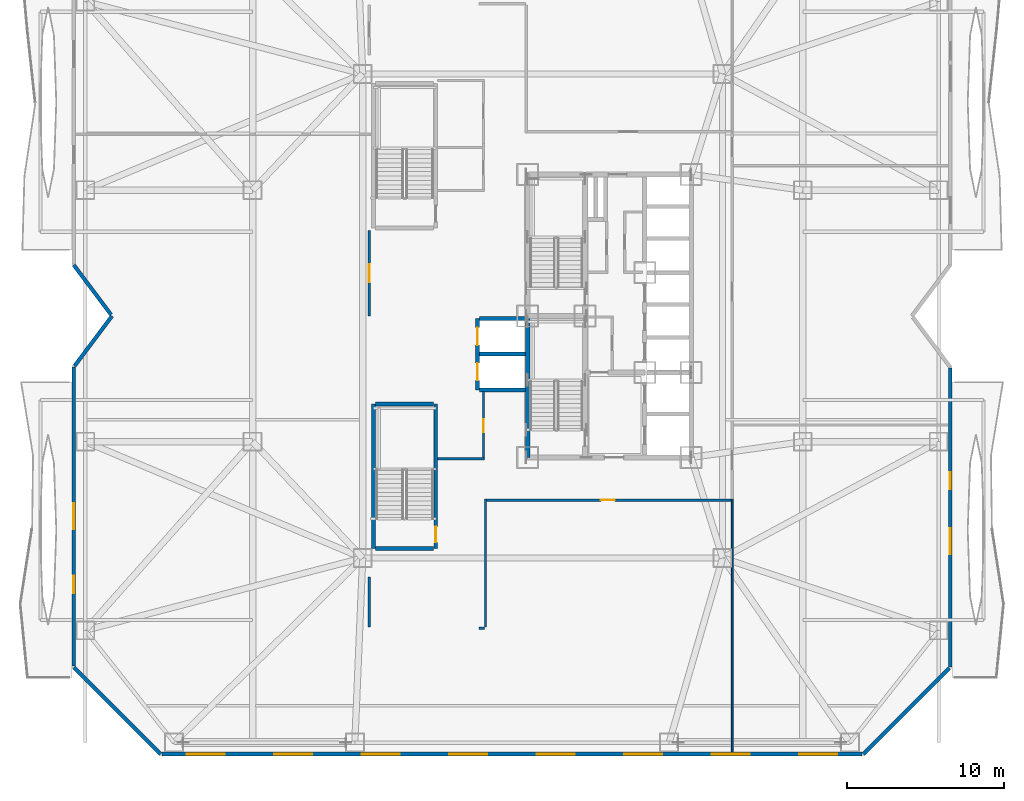
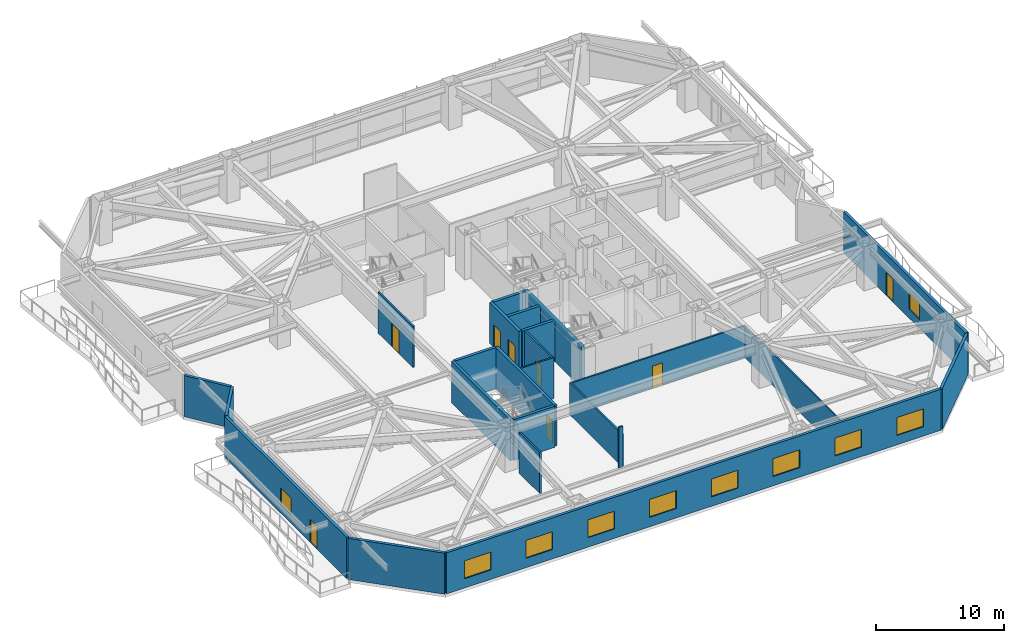
# One storey, part 16 of 25: 24 walls, 10 windows, 8 doors, 18 openings.
"""IFC4 building model written with IfcOpenShell, lengths in metres."""

from ifc_helpers import new_model, si_unit, direction, frame, frame_2d, origin, place, context, subcontext, project, spatial, rectangle, extrude, material, layer, layer_set, type_object, element, fill, save


model = new_model("IFC4")

# Units and contexts
model_context = context("Model", 3, precision=1e-05, world=origin(), true_north=direction((0.0, 1.0)))
body_context = subcontext(model_context, "Body", "Model", "MODEL_VIEW")
ifc_project = project(units=[si_unit("LENGTHUNIT", "METRE"), si_unit("AREAUNIT", "SQUARE_METRE"), si_unit("VOLUMEUNIT", "CUBIC_METRE"), si_unit("PLANEANGLEUNIT", "RADIAN"), si_unit("MASSUNIT", "GRAM", prefix="KILO")], contexts=[model_context])

# Site, building, storey
site_placement = place(None, origin())
site = spatial("IfcSite", under=ifc_project, at=site_placement, CompositionType="ELEMENT")
building_placement = place(site_placement, origin())
building = spatial("IfcBuilding", under=site, at=building_placement, Name="Khamvora Tower", CompositionType="ELEMENT")
storey_placement = place(building_placement, frame((0.0, 0.0, 24.60009765625)))
storey = spatial("IfcBuildingStorey", under=building, at=storey_placement, Name="L05", CompositionType="ELEMENT", Elevation=24.60009765625)

# Walls
ifc_material_1 = material(Name="Concrete C50/60", Category="concrete")
ifc_layer_1 = layer(ifc_material_1, 0.300048828125)
ifc_layer_set_1 = layer_set([ifc_layer_1], Name="Concrete C50/60")
wall_type_1 = type_object("IfcWallType", Name="WAL-CORE-300", PredefinedType="SHEAR", material=ifc_layer_set_1)
wall_1_placement = place(storey_placement, frame((29.0, 19.0, 0.0), z_axis=(0.0, 0.0, 1.0), x_axis=(0.0, 1.0, 0.0)))
element("IfcWall", 1, at=wall_1_placement, inside=storey, type_object=wall_type_1, Name="L05 central core west south wall", PredefinedType="SHEAR", context=body_context, shape_type="SweptSolid", body=[
    extrude(rectangle(XDim=9.0, YDim=0.300048828125, at=frame_2d((4.5, 0.0))), origin(), (0.0, 0.0, 1.0), 3.919921875),
])
ifc_material_2 = material(Name="Fire-Rated Drywall and Steel Stud", Category="steel")
ifc_layer_2 = layer(ifc_material_2, 0.14990234375)
ifc_layer_set_2 = layer_set([ifc_layer_2], Name="Fire-Rated Drywall and Steel Stud")
wall_type_2 = type_object("IfcWallType", Name="WAL-CORR-150", PredefinedType="STANDARD", material=ifc_layer_set_2)
wall_2_placement = place(storey_placement, frame((23.26708984375, 18.9150390625, 0.0), z_axis=(0.0, 0.0, 1.0), x_axis=(1.0, 0.0, 0.0)))
element("IfcWall", 2, at=wall_2_placement, inside=storey, type_object=wall_type_2, Name="L05 interior partition wall 008", PredefinedType="STANDARD", context=body_context, shape_type="SweptSolid", body=[
    extrude(rectangle(XDim=2.98291015625, YDim=0.14990234375, at=frame_2d((1.491455078125, 0.0))), origin(), (0.0, 0.0, 1.0), 3.919921875),
])

# Wall, opening, door
wall_3_placement = place(storey_placement, frame((26.18505859375, 18.85205078125, 0.0), z_axis=(0.0, 0.0, 1.0), x_axis=(0.0, 1.0, 0.0)))
wall_3 = element("IfcWall", 3, at=wall_3_placement, inside=storey, type_object=wall_type_2, Name="L05 interior partition wall 009", PredefinedType="STANDARD", context=body_context, shape_type="SweptSolid", body=[
    extrude(rectangle(XDim=4.3310546875, YDim=0.14990234375, at=frame_2d((2.16552734375, 0.0))), origin(), (0.0, 0.0, 1.0), 3.919921875),
])
opening_1_placement = place(wall_3_placement, frame((1.740966796875, 0.0, 0.0)))
opening_1 = element("IfcOpeningElement", 4, at=opening_1_placement, cuts=wall_3, Name="Opening D-WC1", PredefinedType="OPENING", context=body_context, shape_type="SweptSolid", body=[
    extrude(rectangle(XDim=0.85009765625, YDim=2.10009765625, at=frame_2d((0.425048828125, 1.050048828125))), frame((0.0, 0.0849609375, 0.0), z_axis=(0.0, -1.0, 0.0), x_axis=(1.0, 0.0, 0.0)), (0.0, 0.0, 1.0), 0.169921875),
])
ifc_material_3 = material(Name="Powder-Coated Steel and Hardwood Leaf", Category="steel")
door_type_1 = type_object("IfcDoorType", Name="DOR-WET-850", OperationType="NOTDEFINED", PredefinedType="DOOR", material=ifc_material_3)
door_1_placement = place(opening_1_placement, origin())
door_1 = element("IfcDoor", 5, at=door_1_placement, inside=storey, type_object=door_type_1, Name="L05 interior door SCOR-WCM", OperationType="SINGLE_SWING_LEFT", OverallHeight=2.10009765625, OverallWidth=0.85009765625, PredefinedType="DOOR", context=body_context, shape_type="SweptSolid", body=[
    extrude(rectangle(XDim=0.85009765625, YDim=2.10009765625, at=frame_2d((0.425048828125, 1.050048828125))), frame((0.0, 0.02490234375, 0.0), z_axis=(0.0, -1.0, 0.0), x_axis=(1.0, 0.0, 0.0)), (0.0, 0.0, 1.0), 0.050048828125),
])
fill(opening_1, door_1)

wall_4_placement = place(storey_placement, frame((18.9150390625, 28.0, 0.0), z_axis=(0.0, 0.0, 1.0), x_axis=(0.0, 1.0, 0.0)))
wall_4 = element("IfcWall", 6, at=wall_4_placement, inside=storey, type_object=wall_type_2, Name="L05 interior partition wall 014", PredefinedType="STANDARD", context=body_context, shape_type="SweptSolid", body=[
    extrude(rectangle(XDim=5.449951171875, YDim=0.14990234375, at=frame_2d((2.72509765625, 0.0))), origin(), (0.0, 0.0, 1.0), 3.919921875),
])
opening_2_placement = place(wall_4_placement, frame((2.14990234375, 0.0, 0.0)))
opening_2 = element("IfcOpeningElement", 7, at=opening_2_placement, cuts=wall_4, Name="Opening D-SC1", PredefinedType="OPENING", context=body_context, shape_type="SweptSolid", body=[
    extrude(rectangle(XDim=1.14990234375, YDim=2.199951171875, at=frame_2d((0.574951171875, 1.10009765625))), frame((0.0, 0.0849609375, 0.0), z_axis=(0.0, -1.0, 0.0), x_axis=(1.0, 0.0, 0.0)), (0.0, 0.0, 1.0), 0.169921875),
])
door_type_2 = type_object("IfcDoorType", Name="DOR-SCHL-1150", OperationType="NOTDEFINED", PredefinedType="DOOR", material=ifc_material_3)
door_2_placement = place(opening_2_placement, origin())
door_2 = element("IfcDoor", 8, at=door_2_placement, inside=storey, type_object=door_type_2, Name="L05 interior door SCOR-GYM", OperationType="SINGLE_SWING_RIGHT", OverallHeight=2.199951171875, OverallWidth=1.14990234375, PredefinedType="DOOR", context=body_context, shape_type="SweptSolid", body=[
    extrude(rectangle(XDim=1.14990234375, YDim=2.199951171875, at=frame_2d((0.574951171875, 1.10009765625))), frame((0.0, 0.02490234375, 0.0), z_axis=(0.0, -1.0, 0.0), x_axis=(1.0, 0.0, 0.0)), (0.0, 0.0, 1.0), 0.050048828125),
])
fill(opening_2, door_2)

# Wall
wall_5_placement = place(storey_placement, frame((18.9150390625, 8.199951171875, 0.0), z_axis=(0.0, 0.0, 1.0), x_axis=(0.0, 1.0, 0.0)))
element("IfcWall", 9, at=wall_5_placement, inside=storey, type_object=wall_type_2, Name="L05 interior partition wall 015", PredefinedType="STANDARD", context=body_context, shape_type="SweptSolid", body=[
    extrude(rectangle(XDim=3.199951171875, YDim=0.14990234375, at=frame_2d((1.60009765625, 0.0))), origin(), (0.0, 0.0, 1.0), 3.919921875),
])

# Wall, opening, door
wall_6_placement = place(storey_placement, frame((41.949951171875, 16.284912109375, 0.0), z_axis=(0.0, 0.0, 1.0), x_axis=(-1.0, 0.0, 0.0)))
wall_6 = element("IfcWall", 10, at=wall_6_placement, inside=storey, type_object=wall_type_2, Name="L05 interior partition wall 020", PredefinedType="STANDARD", context=body_context, shape_type="SweptSolid", body=[
    extrude(rectangle(XDim=15.699951171875, YDim=0.14990234375, at=frame_2d((7.85009765625, 0.0))), origin(), (0.0, 0.0, 1.0), 3.054931640625),
])
opening_3_placement = place(wall_6_placement, frame((7.39990234375, 0.0, 0.0)))
opening_3 = element("IfcOpeningElement", 11, at=opening_3_placement, cuts=wall_6, Name="Opening D-RM1", PredefinedType="OPENING", context=body_context, shape_type="SweptSolid", body=[
    extrude(rectangle(XDim=0.89990234375, YDim=2.10009765625, at=frame_2d((0.449951171875, 1.050048828125))), frame((0.0, 0.0849609375, 0.0), z_axis=(0.0, -1.0, 0.0), x_axis=(1.0, 0.0, 0.0)), (0.0, 0.0, 1.0), 0.169921875),
])
door_type_3 = type_object("IfcDoorType", Name="DOR-ROOM-900", OperationType="NOTDEFINED", PredefinedType="DOOR", material=ifc_material_3)
door_3_placement = place(opening_3_placement, origin())
door_3 = element("IfcDoor", 12, at=door_3_placement, inside=storey, type_object=door_type_3, Name="L05 interior door SCOR-EQP", OperationType="SINGLE_SWING_LEFT", OverallHeight=2.10009765625, OverallWidth=0.89990234375, PredefinedType="DOOR", context=body_context, shape_type="SweptSolid", body=[
    extrude(rectangle(XDim=0.89990234375, YDim=2.10009765625, at=frame_2d((0.449951171875, 1.050048828125))), frame((0.0, 0.02490234375, 0.0), z_axis=(0.0, -1.0, 0.0), x_axis=(1.0, 0.0, 0.0)), (0.0, 0.0, 1.0), 0.050048828125),
])
fill(opening_3, door_3)

# Walls
wall_7_placement = place(storey_placement, frame((26.31494140625, 16.35009765625, 0.0), z_axis=(0.0, 0.0, 1.0), x_axis=(0.0, -1.0, 0.0)))
element("IfcWall", 13, at=wall_7_placement, inside=storey, type_object=wall_type_2, Name="L05 interior partition wall 021", PredefinedType="STANDARD", context=body_context, shape_type="SweptSolid", body=[
    extrude(rectangle(XDim=8.150146484375, YDim=0.14990234375, at=frame_2d((4.0751953125, 0.0))), origin(), (0.0, 0.0, 1.0), 3.054931640625),
])
wall_8_placement = place(storey_placement, frame((26.25, 8.135009765625, 0.0), z_axis=(0.0, 0.0, 1.0), x_axis=(-1.0, 0.0, 0.0)))
element("IfcWall", 14, at=wall_8_placement, inside=storey, type_object=wall_type_2, Name="L05 interior partition wall 022", PredefinedType="STANDARD", context=body_context, shape_type="SweptSolid", body=[
    extrude(rectangle(XDim=0.339111328125, YDim=0.14990234375, at=frame_2d((0.16943359375, 0.0))), origin(), (0.0, 0.0, 1.0), 3.919921875),
])
ifc_material_4 = material(Name="Precast concrete C40/50", Category="concrete")
ifc_layer_3 = layer(ifc_material_4, 0.239990234375)
ifc_layer_set_3 = layer_set([ifc_layer_3], Name="Precast concrete C40/50")
wall_type_3 = type_object("IfcWallType", Name="WAL-EXT-240", PredefinedType="STANDARD", material=ifc_layer_set_3)
wall_9_placement = place(storey_placement, frame((5.64990234375, 0.1201171875, 0.0), z_axis=(0.0, 0.0, 1.0), x_axis=(-0.707106781187, 0.707106781187, 0.0)))
element("IfcWall", 15, at=wall_9_placement, inside=storey, type_object=wall_type_3, Name="L05 exterior facade wall 01.1", PredefinedType="STANDARD", context=body_context, shape_type="SweptSolid", body=[
    extrude(rectangle(XDim=7.8203125, YDim=0.239990234375, at=frame_2d((3.91015625, 0.0))), origin(), (0.0, 0.0, 1.0), 3.919921875),
])

# Wall, openings, door, window
wall_10_placement = place(storey_placement, frame((0.1201171875, 5.72802734375, 0.0), z_axis=(0.0, 0.0, 1.0), x_axis=(0.0, 1.0, 0.0)))
wall_10 = element("IfcWall", 16, at=wall_10_placement, inside=storey, type_object=wall_type_3, Name="L05 exterior facade wall 02.1", PredefinedType="STANDARD", context=body_context, shape_type="SweptSolid", body=[
    extrude(rectangle(XDim=19.031982421875, YDim=0.239990234375, at=frame_2d((9.51611328125, 0.0))), origin(), (0.0, 0.0, 1.0), 3.919921875),
])
opening_4_placement = place(wall_10_placement, frame((4.64208984375, 0.0, 0.0)))
opening_4 = element("IfcOpeningElement", 17, at=opening_4_placement, cuts=wall_10, Name="Opening BD-01", PredefinedType="OPENING", context=body_context, shape_type="SweptSolid", body=[
    extrude(rectangle(XDim=1.10009765625, YDim=2.199951171875, at=frame_2d((0.550048828125, 1.10009765625))), frame((0.0, 0.1298828125, 0.0), z_axis=(0.0, -1.0, 0.0), x_axis=(1.0, 0.0, 0.0)), (0.0, 0.0, 1.0), 0.260009765625),
])
opening_5_placement = place(wall_10_placement, frame((8.69091796875, 0.0, 0.85009765625)))
opening_5 = element("IfcOpeningElement", 18, at=opening_5_placement, cuts=wall_10, Name="Opening WN-06", PredefinedType="OPENING", context=body_context, shape_type="SweptSolid", body=[
    extrude(rectangle(XDim=1.64990234375, YDim=1.550048828125, at=frame_2d((0.824951171875, 0.77490234375))), frame((0.0, 0.1298828125, 0.0), z_axis=(0.0, -1.0, 0.0), x_axis=(1.0, 0.0, 0.0)), (0.0, 0.0, 1.0), 0.260009765625),
])
ifc_material_5 = material(Name="Anodised Aluminium and Laminated Safety Glass", Category="aluminium")
door_type_4 = type_object("IfcDoorType", Name="DOR-BAL-1100", OperationType="NOTDEFINED", PredefinedType="DOOR", material=ifc_material_5)
door_4_placement = place(opening_4_placement, origin())
door_4 = element("IfcDoor", 19, at=door_4_placement, inside=storey, type_object=door_type_4, Name="L05 lens gallery balcony door WL1", OperationType="SLIDING_TO_LEFT", OverallHeight=2.199951171875, OverallWidth=1.10009765625, PredefinedType="DOOR", context=body_context, shape_type="SweptSolid", body=[
    extrude(rectangle(XDim=1.10009765625, YDim=2.199951171875, at=frame_2d((0.550048828125, 1.10009765625))), frame((0.0, 0.02490234375, 0.0), z_axis=(0.0, -1.0, 0.0), x_axis=(1.0, 0.0, 0.0)), (0.0, 0.0, 1.0), 0.050048828125),
])
fill(opening_4, door_4)
ifc_material_6 = material(Name="Low-E Laminated Double Glazing", Category="glass")
window_type_1 = type_object("IfcWindowType", Name="WIN-VIS-1650x1550", PartitioningType="SINGLE_PANEL", PredefinedType="WINDOW", material=ifc_material_6)
window_1_placement = place(opening_5_placement, origin())
window_1 = element("IfcWindow", 20, at=window_1_placement, inside=storey, type_object=window_type_1, Name="L05 vision window 02.1.01", OverallHeight=1.550048828125, OverallWidth=1.64990234375, PartitioningType="SINGLE_PANEL", PredefinedType="WINDOW", context=body_context, shape_type="SweptSolid", body=[
    extrude(rectangle(XDim=1.64990234375, YDim=1.550048828125, at=frame_2d((0.824951171875, 0.77490234375))), frame((0.0, 0.030029296875, 0.0), z_axis=(0.0, -1.0, 0.0), x_axis=(1.0, 0.0, 0.0)), (0.0, 0.0, 1.0), 0.06005859375),
])
fill(opening_5, window_1)

# Walls
wall_11_placement = place(storey_placement, frame((0.157958984375, 24.81103515625, 0.0), z_axis=(0.0, 0.0, 1.0), x_axis=(0.600058791648, 0.799955902889, 0.0)))
element("IfcWall", 21, at=wall_11_placement, inside=storey, type_object=wall_type_3, Name="L05 exterior facade wall 03.1", PredefinedType="STANDARD", context=body_context, shape_type="SweptSolid", body=[
    extrude(rectangle(XDim=3.986328125, YDim=0.239990234375, at=frame_2d((1.9931640625, 0.0))), origin(), (0.0, 0.0, 1.0), 3.919921875),
])
wall_12_placement = place(storey_placement, frame((2.487060546875, 28.083984375, 0.0), z_axis=(0.0, 0.0, 1.0), x_axis=(-0.599990098106, 0.800007426325, 0.0)))
element("IfcWall", 22, at=wall_12_placement, inside=storey, type_object=wall_type_3, Name="L05 exterior facade wall 04.1", PredefinedType="STANDARD", context=body_context, shape_type="SweptSolid", body=[
    extrude(rectangle(XDim=3.945068359375, YDim=0.239990234375, at=frame_2d((1.97265625, 0.0))), origin(), (0.0, 0.0, 1.0), 3.919921875),
])

# Wall, openings, door, window
wall_13_placement = place(storey_placement, frame((55.8798828125, 24.697998046875, 0.0), z_axis=(0.0, 0.0, 1.0), x_axis=(0.0, -1.0, 0.0)))
wall_13 = element("IfcWall", 23, at=wall_13_placement, inside=storey, type_object=wall_type_3, Name="L05 exterior facade wall 12.1", PredefinedType="STANDARD", context=body_context, shape_type="SweptSolid", body=[
    extrude(rectangle(XDim=19.048095703125, YDim=0.239990234375, at=frame_2d((9.52392578125, 0.0))), origin(), (0.0, 0.0, 1.0), 3.919921875),
])
opening_6_placement = place(wall_13_placement, frame((6.6279296875, 0.0, 0.0)))
opening_6 = element("IfcOpeningElement", 24, at=opening_6_placement, cuts=wall_13, Name="Opening BD-01", PredefinedType="OPENING", context=body_context, shape_type="SweptSolid", body=[
    extrude(rectangle(XDim=1.10009765625, YDim=2.199951171875, at=frame_2d((0.550048828125, 1.10009765625))), frame((0.0, 0.1298828125, 0.0), z_axis=(0.0, -1.0, 0.0), x_axis=(1.0, 0.0, 0.0)), (0.0, 0.0, 1.0), 0.260009765625),
])
opening_7_placement = place(wall_13_placement, frame((10.197998046875, 0.0, 0.85009765625)))
opening_7 = element("IfcOpeningElement", 25, at=opening_7_placement, cuts=wall_13, Name="Opening WN-06", PredefinedType="OPENING", context=body_context, shape_type="SweptSolid", body=[
    extrude(rectangle(XDim=1.64990234375, YDim=1.550048828125, at=frame_2d((0.824951171875, 0.77490234375))), frame((0.0, 0.1298828125, 0.0), z_axis=(0.0, -1.0, 0.0), x_axis=(1.0, 0.0, 0.0)), (0.0, 0.0, 1.0), 0.260009765625),
])
door_5_placement = place(opening_6_placement, origin())
door_5 = element("IfcDoor", 26, at=door_5_placement, inside=storey, type_object=door_type_4, Name="L05 lens gallery balcony door EL1", OperationType="SLIDING_TO_LEFT", OverallHeight=2.199951171875, OverallWidth=1.10009765625, PredefinedType="DOOR", context=body_context, shape_type="SweptSolid", body=[
    extrude(rectangle(XDim=1.10009765625, YDim=2.199951171875, at=frame_2d((0.550048828125, 1.10009765625))), frame((0.0, 0.02490234375, 0.0), z_axis=(0.0, -1.0, 0.0), x_axis=(1.0, 0.0, 0.0)), (0.0, 0.0, 1.0), 0.050048828125),
])
fill(opening_6, door_5)
window_2_placement = place(opening_7_placement, origin())
window_2 = element("IfcWindow", 27, at=window_2_placement, inside=storey, type_object=window_type_1, Name="L05 vision window 12.1.01", OverallHeight=1.550048828125, OverallWidth=1.64990234375, PartitioningType="SINGLE_PANEL", PredefinedType="WINDOW", context=body_context, shape_type="SweptSolid", body=[
    extrude(rectangle(XDim=1.64990234375, YDim=1.550048828125, at=frame_2d((0.824951171875, 0.77490234375))), frame((0.0, 0.030029296875, 0.0), z_axis=(0.0, -1.0, 0.0), x_axis=(1.0, 0.0, 0.0)), (0.0, 0.0, 1.0), 0.06005859375),
])
fill(opening_7, window_2)

# Wall
wall_14_placement = place(storey_placement, frame((55.825927734375, 5.595947265625, 0.0), z_axis=(0.0, 0.0, 1.0), x_axis=(-0.707106781187, -0.707106781187, 0.0)))
element("IfcWall", 28, at=wall_14_placement, inside=storey, type_object=wall_type_3, Name="L05 exterior facade wall 13.1", PredefinedType="STANDARD", context=body_context, shape_type="SweptSolid", body=[
    extrude(rectangle(XDim=7.743896484375, YDim=0.239990234375, at=frame_2d((3.8720703125, 0.0))), origin(), (0.0, 0.0, 1.0), 3.919921875),
])

# Wall, openings, windows
wall_15_placement = place(storey_placement, frame((50.27490234375, 0.1201171875, 0.0), z_axis=(0.0, 0.0, 1.0), x_axis=(-1.0, 0.0, 0.0)))
wall_15 = element("IfcWall", 29, at=wall_15_placement, inside=storey, type_object=wall_type_3, Name="L05 exterior facade wall 14.1", PredefinedType="STANDARD", context=body_context, shape_type="SweptSolid", body=[
    extrude(rectangle(XDim=44.5498046875, YDim=0.239990234375, at=frame_2d((22.27490234375, 0.0))), origin(), (0.0, 0.0, 1.0), 3.919921875),
])
opening_8_placement = place(wall_15_placement, frame((1.583984375, 0.0, 0.89990234375)))
opening_8 = element("IfcOpeningElement", 30, at=opening_8_placement, cuts=wall_15, Name="Opening WN-04", PredefinedType="OPENING", context=body_context, shape_type="SweptSolid", body=[
    extrude(rectangle(XDim=2.39990234375, YDim=1.699951171875, at=frame_2d((1.199951171875, 0.85009765625))), frame((0.0, 0.1298828125, 0.0), z_axis=(0.0, -1.0, 0.0), x_axis=(1.0, 0.0, 0.0)), (0.0, 0.0, 1.0), 0.260009765625),
])
opening_9_placement = place(wall_15_placement, frame((7.153076171875, 0.0, 0.89990234375)))
opening_9 = element("IfcOpeningElement", 31, at=opening_9_placement, cuts=wall_15, Name="Opening WN-04", PredefinedType="OPENING", context=body_context, shape_type="SweptSolid", body=[
    extrude(rectangle(XDim=2.39990234375, YDim=1.699951171875, at=frame_2d((1.199951171875, 0.85009765625))), frame((0.0, 0.1298828125, 0.0), z_axis=(0.0, -1.0, 0.0), x_axis=(1.0, 0.0, 0.0)), (0.0, 0.0, 1.0), 0.260009765625),
])
opening_10_placement = place(wall_15_placement, frame((12.721923828125, 0.0, 0.89990234375)))
opening_10 = element("IfcOpeningElement", 32, at=opening_10_placement, cuts=wall_15, Name="Opening WN-04", PredefinedType="OPENING", context=body_context, shape_type="SweptSolid", body=[
    extrude(rectangle(XDim=2.39990234375, YDim=1.699951171875, at=frame_2d((1.199951171875, 0.85009765625))), frame((0.0, 0.1298828125, 0.0), z_axis=(0.0, -1.0, 0.0), x_axis=(1.0, 0.0, 0.0)), (0.0, 0.0, 1.0), 0.260009765625),
])
opening_11_placement = place(wall_15_placement, frame((18.291015625, 0.0, 0.89990234375)))
opening_11 = element("IfcOpeningElement", 33, at=opening_11_placement, cuts=wall_15, Name="Opening WN-04", PredefinedType="OPENING", context=body_context, shape_type="SweptSolid", body=[
    extrude(rectangle(XDim=2.39990234375, YDim=1.699951171875, at=frame_2d((1.199951171875, 0.85009765625))), frame((0.0, 0.1298828125, 0.0), z_axis=(0.0, -1.0, 0.0), x_axis=(1.0, 0.0, 0.0)), (0.0, 0.0, 1.0), 0.260009765625),
])
opening_12_placement = place(wall_15_placement, frame((23.85888671875, 0.0, 0.89990234375)))
opening_12 = element("IfcOpeningElement", 34, at=opening_12_placement, cuts=wall_15, Name="Opening WN-04", PredefinedType="OPENING", context=body_context, shape_type="SweptSolid", body=[
    extrude(rectangle(XDim=2.39990234375, YDim=1.699951171875, at=frame_2d((1.199951171875, 0.85009765625))), frame((0.0, 0.1298828125, 0.0), z_axis=(0.0, -1.0, 0.0), x_axis=(1.0, 0.0, 0.0)), (0.0, 0.0, 1.0), 0.260009765625),
])
opening_13_placement = place(wall_15_placement, frame((29.427978515625, 0.0, 0.89990234375)))
opening_13 = element("IfcOpeningElement", 35, at=opening_13_placement, cuts=wall_15, Name="Opening WN-04", PredefinedType="OPENING", context=body_context, shape_type="SweptSolid", body=[
    extrude(rectangle(XDim=2.39990234375, YDim=1.699951171875, at=frame_2d((1.199951171875, 0.85009765625))), frame((0.0, 0.1298828125, 0.0), z_axis=(0.0, -1.0, 0.0), x_axis=(1.0, 0.0, 0.0)), (0.0, 0.0, 1.0), 0.260009765625),
])
opening_14_placement = place(wall_15_placement, frame((34.9970703125, 0.0, 0.89990234375)))
opening_14 = element("IfcOpeningElement", 36, at=opening_14_placement, cuts=wall_15, Name="Opening WN-04", PredefinedType="OPENING", context=body_context, shape_type="SweptSolid", body=[
    extrude(rectangle(XDim=2.39990234375, YDim=1.699951171875, at=frame_2d((1.199951171875, 0.85009765625))), frame((0.0, 0.1298828125, 0.0), z_axis=(0.0, -1.0, 0.0), x_axis=(1.0, 0.0, 0.0)), (0.0, 0.0, 1.0), 0.260009765625),
])
opening_15_placement = place(wall_15_placement, frame((40.56591796875, 0.0, 0.89990234375)))
opening_15 = element("IfcOpeningElement", 37, at=opening_15_placement, cuts=wall_15, Name="Opening WN-04", PredefinedType="OPENING", context=body_context, shape_type="SweptSolid", body=[
    extrude(rectangle(XDim=2.39990234375, YDim=1.699951171875, at=frame_2d((1.199951171875, 0.85009765625))), frame((0.0, 0.1298828125, 0.0), z_axis=(0.0, -1.0, 0.0), x_axis=(1.0, 0.0, 0.0)), (0.0, 0.0, 1.0), 0.260009765625),
])
window_type_2 = type_object("IfcWindowType", Name="WIN-VIS-2400x1700", PartitioningType="SINGLE_PANEL", PredefinedType="WINDOW", material=ifc_material_6)
window_3_placement = place(opening_8_placement, origin())
window_3 = element("IfcWindow", 38, at=window_3_placement, inside=storey, type_object=window_type_2, Name="L05 vision window 14.1.01", OverallHeight=1.699951171875, OverallWidth=2.39990234375, PartitioningType="SINGLE_PANEL", PredefinedType="WINDOW", context=body_context, shape_type="SweptSolid", body=[
    extrude(rectangle(XDim=2.39990234375, YDim=1.699951171875, at=frame_2d((1.199951171875, 0.85009765625))), frame((0.0, 0.030029296875, 0.0), z_axis=(0.0, -1.0, 0.0), x_axis=(1.0, 0.0, 0.0)), (0.0, 0.0, 1.0), 0.06005859375),
])
fill(opening_8, window_3)
window_4_placement = place(opening_9_placement, origin())
window_4 = element("IfcWindow", 39, at=window_4_placement, inside=storey, type_object=window_type_2, Name="L05 vision window 14.1.02", OverallHeight=1.699951171875, OverallWidth=2.39990234375, PartitioningType="SINGLE_PANEL", PredefinedType="WINDOW", context=body_context, shape_type="SweptSolid", body=[
    extrude(rectangle(XDim=2.39990234375, YDim=1.699951171875, at=frame_2d((1.199951171875, 0.85009765625))), frame((0.0, 0.030029296875, 0.0), z_axis=(0.0, -1.0, 0.0), x_axis=(1.0, 0.0, 0.0)), (0.0, 0.0, 1.0), 0.06005859375),
])
fill(opening_9, window_4)
window_5_placement = place(opening_10_placement, origin())
window_5 = element("IfcWindow", 40, at=window_5_placement, inside=storey, type_object=window_type_2, Name="L05 vision window 14.1.03", OverallHeight=1.699951171875, OverallWidth=2.39990234375, PartitioningType="SINGLE_PANEL", PredefinedType="WINDOW", context=body_context, shape_type="SweptSolid", body=[
    extrude(rectangle(XDim=2.39990234375, YDim=1.699951171875, at=frame_2d((1.199951171875, 0.85009765625))), frame((0.0, 0.030029296875, 0.0), z_axis=(0.0, -1.0, 0.0), x_axis=(1.0, 0.0, 0.0)), (0.0, 0.0, 1.0), 0.06005859375),
])
fill(opening_10, window_5)
window_6_placement = place(opening_11_placement, origin())
window_6 = element("IfcWindow", 41, at=window_6_placement, inside=storey, type_object=window_type_2, Name="L05 vision window 14.1.04", OverallHeight=1.699951171875, OverallWidth=2.39990234375, PartitioningType="SINGLE_PANEL", PredefinedType="WINDOW", context=body_context, shape_type="SweptSolid", body=[
    extrude(rectangle(XDim=2.39990234375, YDim=1.699951171875, at=frame_2d((1.199951171875, 0.85009765625))), frame((0.0, 0.030029296875, 0.0), z_axis=(0.0, -1.0, 0.0), x_axis=(1.0, 0.0, 0.0)), (0.0, 0.0, 1.0), 0.06005859375),
])
fill(opening_11, window_6)
window_7_placement = place(opening_12_placement, origin())
window_7 = element("IfcWindow", 42, at=window_7_placement, inside=storey, type_object=window_type_2, Name="L05 vision window 14.1.05", OverallHeight=1.699951171875, OverallWidth=2.39990234375, PartitioningType="SINGLE_PANEL", PredefinedType="WINDOW", context=body_context, shape_type="SweptSolid", body=[
    extrude(rectangle(XDim=2.39990234375, YDim=1.699951171875, at=frame_2d((1.199951171875, 0.85009765625))), frame((0.0, 0.030029296875, 0.0), z_axis=(0.0, -1.0, 0.0), x_axis=(1.0, 0.0, 0.0)), (0.0, 0.0, 1.0), 0.06005859375),
])
fill(opening_12, window_7)
window_8_placement = place(opening_13_placement, origin())
window_8 = element("IfcWindow", 43, at=window_8_placement, inside=storey, type_object=window_type_2, Name="L05 vision window 14.1.06", OverallHeight=1.699951171875, OverallWidth=2.39990234375, PartitioningType="SINGLE_PANEL", PredefinedType="WINDOW", context=body_context, shape_type="SweptSolid", body=[
    extrude(rectangle(XDim=2.39990234375, YDim=1.699951171875, at=frame_2d((1.199951171875, 0.85009765625))), frame((0.0, 0.030029296875, 0.0), z_axis=(0.0, -1.0, 0.0), x_axis=(1.0, 0.0, 0.0)), (0.0, 0.0, 1.0), 0.06005859375),
])
fill(opening_13, window_8)
window_9_placement = place(opening_14_placement, origin())
window_9 = element("IfcWindow", 44, at=window_9_placement, inside=storey, type_object=window_type_2, Name="L05 vision window 14.1.07", OverallHeight=1.699951171875, OverallWidth=2.39990234375, PartitioningType="SINGLE_PANEL", PredefinedType="WINDOW", context=body_context, shape_type="SweptSolid", body=[
    extrude(rectangle(XDim=2.39990234375, YDim=1.699951171875, at=frame_2d((1.199951171875, 0.85009765625))), frame((0.0, 0.030029296875, 0.0), z_axis=(0.0, -1.0, 0.0), x_axis=(1.0, 0.0, 0.0)), (0.0, 0.0, 1.0), 0.06005859375),
])
fill(opening_14, window_9)
window_10_placement = place(opening_15_placement, origin())
window_10 = element("IfcWindow", 45, at=window_10_placement, inside=storey, type_object=window_type_2, Name="L05 vision window 14.1.08", OverallHeight=1.699951171875, OverallWidth=2.39990234375, PartitioningType="SINGLE_PANEL", PredefinedType="WINDOW", context=body_context, shape_type="SweptSolid", body=[
    extrude(rectangle(XDim=2.39990234375, YDim=1.699951171875, at=frame_2d((1.199951171875, 0.85009765625))), frame((0.0, 0.030029296875, 0.0), z_axis=(0.0, -1.0, 0.0), x_axis=(1.0, 0.0, 0.0)), (0.0, 0.0, 1.0), 0.06005859375),
])
fill(opening_15, window_10)

# Walls
ifc_material_7 = material(Name="Gypsum Plasterboard Partition", Category="gypsum")
ifc_layer_4 = layer(ifc_material_7, 0.1201171875)
ifc_layer_set_4 = layer_set([ifc_layer_4], Name="Gypsum Plasterboard Partition")
wall_type_4 = type_object("IfcWallType", Name="WAL-PART-120", PredefinedType="PARTITIONING", material=ifc_layer_set_4)
wall_16_placement = place(storey_placement, frame((42.014892578125, 0.242919921875, 0.0), z_axis=(0.0, 0.0, 1.0), x_axis=(0.0, 1.0, 0.0)))
element("IfcWall", 46, at=wall_16_placement, inside=storey, type_object=wall_type_4, Name="L05 interior partition wall 029", PredefinedType="PARTITIONING", context=body_context, shape_type="SweptSolid", body=[
    extrude(rectangle(XDim=16.107177734375, YDim=0.1201171875, at=frame_2d((8.0537109375, 0.0))), origin(), (0.0, 0.0, 1.0), 3.054931640625),
])
ifc_material_8 = material(Name="Concrete C40/50", Category="concrete")
ifc_layer_5 = layer(ifc_material_8, 0.25)
ifc_layer_set_5 = layer_set([ifc_layer_5], Name="Concrete C40/50")
wall_type_5 = type_object("IfcWallType", Name="WAL-PODS-250", PredefinedType="SHEAR", material=ifc_layer_set_5)
wall_17_placement = place(storey_placement, frame((19.199951171875, 13.199951171875, 0.0), z_axis=(0.0, 0.0, 1.0), x_axis=(0.0, 1.0, 0.0)))
element("IfcWall", 47, at=wall_17_placement, inside=storey, type_object=wall_type_5, Name="L05 podium stair core wall st3 w", PredefinedType="SHEAR", context=body_context, shape_type="SweptSolid", body=[
    extrude(rectangle(XDim=9.199951171875, YDim=0.25, at=frame_2d((4.60009765625, 0.0))), origin(), (0.0, 0.0, 1.0), 3.919921875),
])

# Wall, opening, door
wall_18_placement = place(storey_placement, frame((23.14990234375, 13.199951171875, 0.0), z_axis=(0.0, 0.0, 1.0), x_axis=(0.0, 1.0, 0.0)))
wall_18 = element("IfcWall", 48, at=wall_18_placement, inside=storey, type_object=wall_type_5, Name="L05 podium stair core wall st3 e", PredefinedType="SHEAR", context=body_context, shape_type="SweptSolid", body=[
    extrude(rectangle(XDim=9.199951171875, YDim=0.25, at=frame_2d((4.60009765625, 0.0))), origin(), (0.0, 0.0, 1.0), 3.919921875),
])
opening_16_placement = place(wall_18_placement, frame((0.39990234375, 0.0, 0.0)))
opening_16 = element("IfcOpeningElement", 49, at=opening_16_placement, cuts=wall_18, Name="Opening D-ST1", PredefinedType="OPENING", context=body_context, shape_type="SweptSolid", body=[
    extrude(rectangle(XDim=1.0, YDim=2.14990234375, at=frame_2d((0.5, 1.074951171875))), frame((0.0, 0.135009765625, 0.0), z_axis=(0.0, -1.0, 0.0), x_axis=(1.0, 0.0, 0.0)), (0.0, 0.0, 1.0), 0.27001953125),
])
door_type_5 = type_object("IfcDoorType", Name="DOR-STAIR-1000", OperationType="NOTDEFINED", PredefinedType="DOOR", material=ifc_material_3)
door_6_placement = place(opening_16_placement, origin())
door_6 = element("IfcDoor", 50, at=door_6_placement, inside=storey, type_object=door_type_5, Name="L05 podium stair ST3 enclosure door", OperationType="SINGLE_SWING_LEFT", OverallHeight=2.14990234375, OverallWidth=1.0, PredefinedType="DOOR", context=body_context, shape_type="SweptSolid", body=[
    extrude(rectangle(XDim=1.0, YDim=2.14990234375, at=frame_2d((0.5, 1.074951171875))), frame((0.0, 0.02490234375, 0.0), z_axis=(0.0, -1.0, 0.0), x_axis=(1.0, 0.0, 0.0)), (0.0, 0.0, 1.0), 0.050048828125),
])
fill(opening_16, door_6)

# Walls
for number, where, z_axis, x_axis, name in (
    (51, (19.3291015625, 13.199951171875, 0.0), (0.0, 0.0, 1.0), (1.0, 0.0, 0.0), "L05 podium stair core wall st3 s"),
    (52, (19.3291015625, 22.39990234375, 0.0), (0.0, 0.0, 1.0), (1.0, 0.0, 0.0), "L05 podium stair core wall st3 n"),
):
    element("IfcWall", number, at=place(storey_placement, frame(where, z_axis=z_axis, x_axis=x_axis)), inside=storey, type_object=wall_type_5, Name=name, PredefinedType="SHEAR", context=body_context, shape_type="SweptSolid", body=[
        extrude(rectangle(XDim=3.69189453125, YDim=0.25, at=frame_2d((1.845947265625, 0.0))), origin(), (0.0, 0.0, 1.0), 3.919921875),
    ])

# Wall, openings, doors
wall_19_placement = place(storey_placement, frame((25.800048828125, 23.300048828125, 0.0), z_axis=(0.0, 0.0, 1.0), x_axis=(0.0, 1.0, 0.0)))
wall_19 = element("IfcWall", 53, at=wall_19_placement, inside=storey, type_object=wall_type_5, Name="L05 podium lift shaft wall slw w", PredefinedType="SHEAR", context=body_context, shape_type="SweptSolid", body=[
    extrude(rectangle(XDim=4.550048828125, YDim=0.25, at=frame_2d((2.27490234375, 0.0))), origin(), (0.0, 0.0, 1.0), 3.919921875),
])
opening_17_placement = place(wall_19_placement, frame((0.60009765625, 0.0, 0.0)))
opening_17 = element("IfcOpeningElement", 54, at=opening_17_placement, cuts=wall_19, Name="Opening LD-SL", PredefinedType="OPENING", context=body_context, shape_type="SweptSolid", body=[
    extrude(rectangle(XDim=1.10009765625, YDim=2.14990234375, at=frame_2d((0.550048828125, 1.074951171875))), frame((0.0, 0.135009765625, 0.0), z_axis=(0.0, -1.0, 0.0), x_axis=(1.0, 0.0, 0.0)), (0.0, 0.0, 1.0), 0.27001953125),
])
opening_18_placement = place(wall_19_placement, frame((2.85009765625, 0.0, 0.0)))
opening_18 = element("IfcOpeningElement", 55, at=opening_18_placement, cuts=wall_19, Name="Opening LD-SL", PredefinedType="OPENING", context=body_context, shape_type="SweptSolid", body=[
    extrude(rectangle(XDim=1.10009765625, YDim=2.14990234375, at=frame_2d((0.550048828125, 1.074951171875))), frame((0.0, 0.135009765625, 0.0), z_axis=(0.0, -1.0, 0.0), x_axis=(1.0, 0.0, 0.0)), (0.0, 0.0, 1.0), 0.27001953125),
])
door_type_6 = type_object("IfcDoorType", Name="DOR-LIFT-1100S", OperationType="SLIDING_TO_LEFT", PredefinedType="DOOR", material=ifc_material_3)
door_7_placement = place(opening_17_placement, origin())
door_7 = element("IfcDoor", 56, at=door_7_placement, inside=storey, type_object=door_type_6, Name="L05 school lift landing sliding door SL-01", OperationType="SLIDING_TO_LEFT", OverallHeight=2.14990234375, OverallWidth=1.10009765625, PredefinedType="DOOR", context=body_context, shape_type="SweptSolid", body=[
    extrude(rectangle(XDim=1.10009765625, YDim=2.14990234375, at=frame_2d((0.550048828125, 1.074951171875))), frame((0.0, 0.02490234375, 0.0), z_axis=(0.0, -1.0, 0.0), x_axis=(1.0, 0.0, 0.0)), (0.0, 0.0, 1.0), 0.050048828125),
])
fill(opening_17, door_7)
door_8_placement = place(opening_18_placement, origin())
door_8 = element("IfcDoor", 57, at=door_8_placement, inside=storey, type_object=door_type_6, Name="L05 school lift landing sliding door SL-02", OperationType="SLIDING_TO_LEFT", OverallHeight=2.14990234375, OverallWidth=1.10009765625, PredefinedType="DOOR", context=body_context, shape_type="SweptSolid", body=[
    extrude(rectangle(XDim=1.10009765625, YDim=2.14990234375, at=frame_2d((0.550048828125, 1.074951171875))), frame((0.0, 0.02490234375, 0.0), z_axis=(0.0, -1.0, 0.0), x_axis=(1.0, 0.0, 0.0)), (0.0, 0.0, 1.0), 0.050048828125),
])
fill(opening_18, door_8)

# Walls
for number, where, z_axis, x_axis, name in (
    (58, (25.928955078125, 23.300048828125, 0.0), (0.0, 0.0, 1.0), (1.0, 0.0, 0.0), "L05 podium lift shaft wall slw s"),
    (59, (25.928955078125, 27.85009765625, 0.0), (0.0, 0.0, 1.0), (1.0, 0.0, 0.0), "L05 podium lift shaft wall slw n"),
    (60, (25.928955078125, 25.570068359375, 0.0), (0.0, 0.0, 1.0), (1.0, 0.0, 0.0), "L05 podium lift shaft wall slw m"),
):
    element("IfcWall", number, at=place(storey_placement, frame(where, z_axis=z_axis, x_axis=x_axis)), inside=storey, type_object=wall_type_5, Name=name, PredefinedType="SHEAR", context=body_context, shape_type="SweptSolid", body=[
        extrude(rectangle(XDim=2.9169921875, YDim=0.25, at=frame_2d((1.45849609375, 0.0))), origin(), (0.0, 0.0, 1.0), 3.919921875),
    ])

save(model, "model.ifc")
